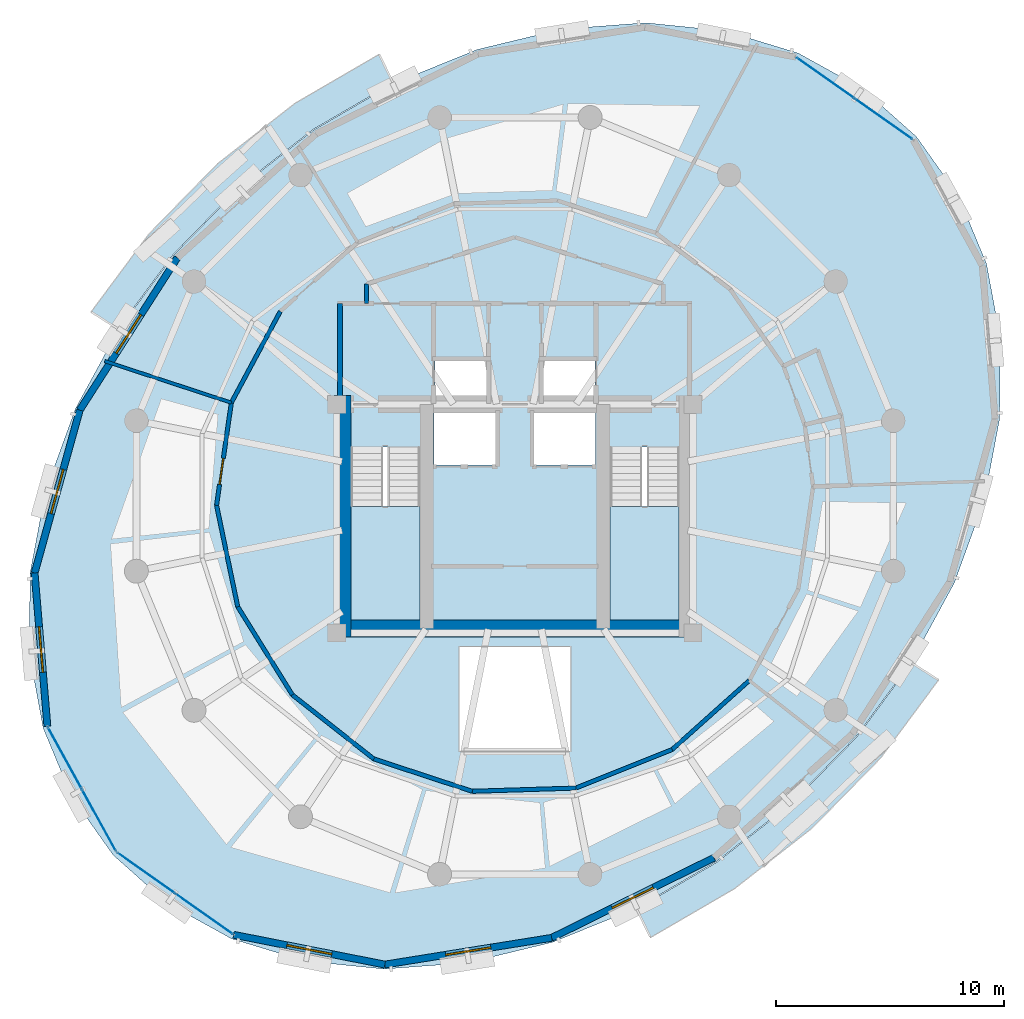
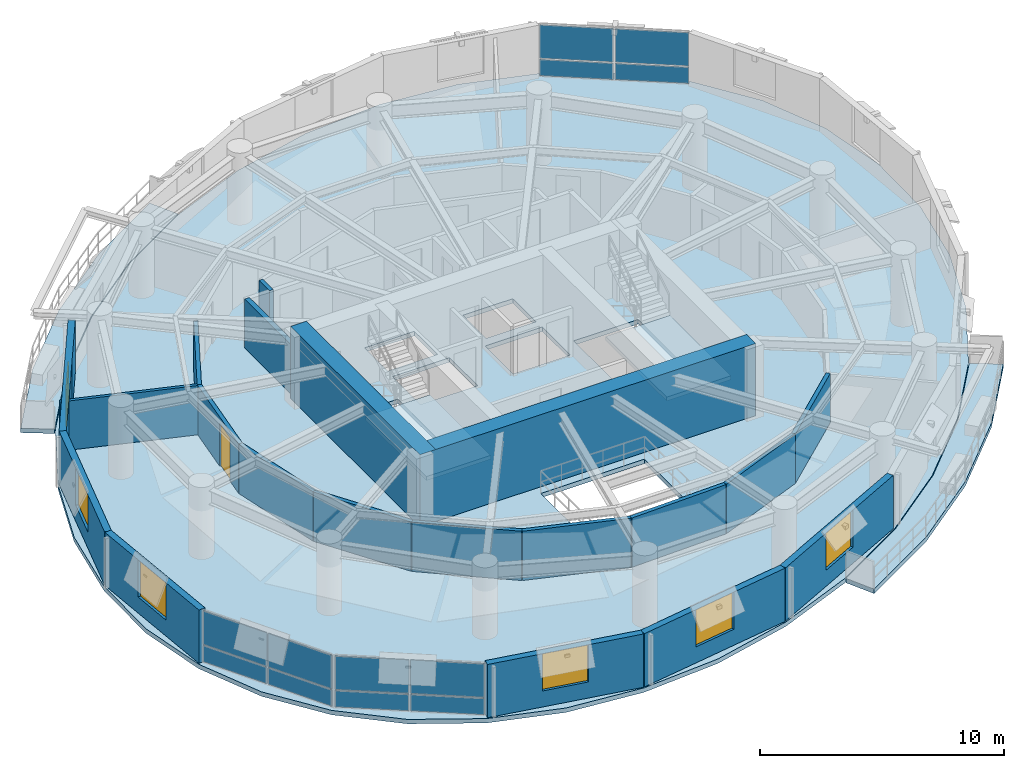
# One storey, part 7 of 12: 20 walls, 12 plates, 6 windows, 5 slabs, 1 door, 7 openings, 5 elements without a shape of their own.
"""IFC4 building model written with IfcOpenShell, lengths in metres."""

from ifc_helpers import new_model, si_unit, direction, frame, frame_2d, origin, origin_2d, place, context, subcontext, project, spatial, polyline, rectangle, outline, extrude, material, layer, layer_set, type_object, element, fill, aggregate, save


model = new_model("IFC4")

# Units and contexts
model_context = context("Model", 3, precision=1e-05, world=origin(), true_north=direction((0.0, 1.0)))
body_context = subcontext(model_context, "Body", "Model", "MODEL_VIEW")
ifc_project = project(units=[si_unit("LENGTHUNIT", "METRE"), si_unit("AREAUNIT", "SQUARE_METRE"), si_unit("VOLUMEUNIT", "CUBIC_METRE"), si_unit("PLANEANGLEUNIT", "RADIAN"), si_unit("MASSUNIT", "GRAM", prefix="KILO"), si_unit("THERMODYNAMICTEMPERATUREUNIT", "KELVIN"), si_unit("POWERUNIT", "WATT")], contexts=[model_context])

# Site, building, storey
site_placement = place(None, origin())
site = spatial("IfcSite", under=ifc_project, at=site_placement, CompositionType="ELEMENT")
building_placement = place(site_placement, origin())
building = spatial("IfcBuilding", under=site, at=building_placement, Name="Ocrelia Relay Tower", CompositionType="ELEMENT")
storey_placement = place(building_placement, frame((0.0, 0.0, 206.0)))
storey = spatial("IfcBuildingStorey", under=building, at=storey_placement, Name="L50", CompositionType="ELEMENT", Elevation=206.0)

# Curtain wall, plates
ifc_material_1 = material(Name="Aluminium and solar-control low-E glass", Category="aluminium")
ifc_layer_1 = layer(ifc_material_1, 0.179931640625, Name="Aluminium and solar-control low-E glass")
ifc_layer_set_1 = layer_set([ifc_layer_1], Name="Aluminium and solar-control low-E glass")
curtain_wall_type = type_object("IfcCurtainWallType", Name="CW-SYS-Z3-CLOU", PredefinedType="NOTDEFINED", material=ifc_layer_set_1)
curtain_wall_1_placement = place(storey_placement, origin())
curtain_wall_1 = element("IfcCurtainWall", 1, at=curtain_wall_1_placement, inside=storey, type_object=curtain_wall_type, Name="L50 Elliptical Tower Curtain Wall Bay 01", PredefinedType="NOTDEFINED")
ifc_material_2 = material(Name="Clear double-glazed low-E glass", Category="glass")
ifc_layer_2 = layer(ifc_material_2, 0.031982421875, Name="Clear double-glazed low-E glass")
ifc_layer_set_2 = layer_set([ifc_layer_2], Name="Clear double-glazed low-E glass")
plate_type = type_object("IfcPlateType", Name="CW-SYS-Z3-CLOU-PNL", PredefinedType="CURTAIN_PANEL", material=ifc_layer_set_2)
plate_1_placement = place(storey_placement, frame((50.147705078125, 42.51220703125, 0.06005859375), z_axis=(0.0, 0.0, 1.0), x_axis=(-0.816946248172, 0.576713817762, 0.0)))
plate_1 = element("IfcPlate", 2, at=plate_1_placement, type_object=plate_type, Name="CW-Z3 panel 1.1", PredefinedType="CURTAIN_PANEL", context=body_context, shape_type="SweptSolid", body=[
    extrude(rectangle(XDim=3.0439453125, YDim=0.031982421875, at=origin_2d()), origin(), (0.0, 0.0, 1.0), 0.81005859375),
])
plate_2_placement = place(storey_placement, frame((50.147705078125, 42.51220703125, 0.929931640625), z_axis=(0.0, 0.0, 1.0), x_axis=(-0.816946248172, 0.576713817762, 0.0)))
plate_2 = element("IfcPlate", 3, at=plate_2_placement, type_object=plate_type, Name="CW-Z3 panel 1.2", PredefinedType="CURTAIN_PANEL", context=body_context, shape_type="SweptSolid", body=[
    extrude(rectangle(XDim=3.0439453125, YDim=0.031982421875, at=origin_2d()), origin(), (0.0, 0.0, 1.0), 1.669921875),
])
plate_3_placement = place(storey_placement, frame((47.60791015625, 44.304931640625, 0.06005859375), z_axis=(0.0, 0.0, 1.0), x_axis=(-0.816946248172, 0.576713817762, 0.0)))
plate_3 = element("IfcPlate", 4, at=plate_3_placement, type_object=plate_type, Name="CW-Z3 panel 2.1", PredefinedType="CURTAIN_PANEL", context=body_context, shape_type="SweptSolid", body=[
    extrude(rectangle(XDim=3.0439453125, YDim=0.031982421875, at=origin_2d()), origin(), (0.0, 0.0, 1.0), 0.81005859375),
])
plate_4_placement = place(storey_placement, frame((47.60791015625, 44.304931640625, 0.929931640625), z_axis=(0.0, 0.0, 1.0), x_axis=(-0.816946248172, 0.576713817762, 0.0)))
plate_4 = element("IfcPlate", 5, at=plate_4_placement, type_object=plate_type, Name="CW-Z3 panel 2.2", PredefinedType="CURTAIN_PANEL", context=body_context, shape_type="SweptSolid", body=[
    extrude(rectangle(XDim=3.0439453125, YDim=0.031982421875, at=origin_2d()), origin(), (0.0, 0.0, 1.0), 1.669921875),
])
aggregate(curtain_wall_1, [plate_1, plate_2, plate_3, plate_4])

curtain_wall_2_placement = place(storey_placement, origin())
curtain_wall_2 = element("IfcCurtainWall", 6, at=curtain_wall_2_placement, inside=storey, type_object=curtain_wall_type, Name="L50 Elliptical Tower Curtain Wall Bay 09", PredefinedType="NOTDEFINED")
plate_5_placement = place(storey_placement, frame((14.292236328125, 14.517333984375, 0.06005859375), z_axis=(0.0, 0.0, 1.0), x_axis=(0.482049498647, -0.876143984088, 0.0)))
plate_5 = element("IfcPlate", 7, at=plate_5_placement, type_object=plate_type, Name="CW-Z3 panel 1.1", PredefinedType="CURTAIN_PANEL", context=body_context, shape_type="SweptSolid", body=[
    extrude(rectangle(XDim=3.0439453125, YDim=0.031982421875, at=origin_2d()), origin(), (0.0, 0.0, 1.0), 0.81005859375),
])
plate_6_placement = place(storey_placement, frame((14.292236328125, 14.517333984375, 0.929931640625), z_axis=(0.0, 0.0, 1.0), x_axis=(0.482049498647, -0.876143984088, 0.0)))
plate_6 = element("IfcPlate", 8, at=plate_6_placement, type_object=plate_type, Name="CW-Z3 panel 1.2", PredefinedType="CURTAIN_PANEL", context=body_context, shape_type="SweptSolid", body=[
    extrude(rectangle(XDim=3.0439453125, YDim=0.031982421875, at=origin_2d()), origin(), (0.0, 0.0, 1.0), 1.669921875),
])
plate_7_placement = place(storey_placement, frame((15.791015625, 11.79345703125, 0.06005859375), z_axis=(0.0, 0.0, 1.0), x_axis=(0.482049498647, -0.876143984088, 0.0)))
plate_7 = element("IfcPlate", 9, at=plate_7_placement, type_object=plate_type, Name="CW-Z3 panel 2.1", PredefinedType="CURTAIN_PANEL", context=body_context, shape_type="SweptSolid", body=[
    extrude(rectangle(XDim=3.0439453125, YDim=0.031982421875, at=origin_2d()), origin(), (0.0, 0.0, 1.0), 0.81005859375),
])
plate_8_placement = place(storey_placement, frame((15.791015625, 11.79345703125, 0.929931640625), z_axis=(0.0, 0.0, 1.0), x_axis=(0.482049498647, -0.876143984088, 0.0)))
plate_8 = element("IfcPlate", 10, at=plate_8_placement, type_object=plate_type, Name="CW-Z3 panel 2.2", PredefinedType="CURTAIN_PANEL", context=body_context, shape_type="SweptSolid", body=[
    extrude(rectangle(XDim=3.0439453125, YDim=0.031982421875, at=origin_2d()), origin(), (0.0, 0.0, 1.0), 1.669921875),
])
aggregate(curtain_wall_2, [plate_5, plate_6, plate_7, plate_8])

curtain_wall_3_placement = place(storey_placement, origin())
curtain_wall_3 = element("IfcCurtainWall", 11, at=curtain_wall_3_placement, inside=storey, type_object=curtain_wall_type, Name="L50 Elliptical Tower Curtain Wall Bay 10", PredefinedType="NOTDEFINED")
plate_9_placement = place(storey_placement, frame((17.852294921875, 9.48779296875, 0.06005859375), z_axis=(0.0, 0.0, 1.0), x_axis=(0.816946248172, -0.576713817762, 0.0)))
plate_9 = element("IfcPlate", 12, at=plate_9_placement, type_object=plate_type, Name="CW-Z3 panel 1.1", PredefinedType="CURTAIN_PANEL", context=body_context, shape_type="SweptSolid", body=[
    extrude(rectangle(XDim=3.0439453125, YDim=0.031982421875, at=origin_2d()), origin(), (0.0, 0.0, 1.0), 0.81005859375),
])
plate_10_placement = place(storey_placement, frame((17.852294921875, 9.48779296875, 0.929931640625), z_axis=(0.0, 0.0, 1.0), x_axis=(0.816946248172, -0.576713817762, 0.0)))
plate_10 = element("IfcPlate", 13, at=plate_10_placement, type_object=plate_type, Name="CW-Z3 panel 1.2", PredefinedType="CURTAIN_PANEL", context=body_context, shape_type="SweptSolid", body=[
    extrude(rectangle(XDim=3.0439453125, YDim=0.031982421875, at=origin_2d()), origin(), (0.0, 0.0, 1.0), 1.669921875),
])
plate_11_placement = place(storey_placement, frame((20.39208984375, 7.695068359375, 0.06005859375), z_axis=(0.0, 0.0, 1.0), x_axis=(0.816946248172, -0.576713817762, 0.0)))
plate_11 = element("IfcPlate", 14, at=plate_11_placement, type_object=plate_type, Name="CW-Z3 panel 2.1", PredefinedType="CURTAIN_PANEL", context=body_context, shape_type="SweptSolid", body=[
    extrude(rectangle(XDim=3.0439453125, YDim=0.031982421875, at=origin_2d()), origin(), (0.0, 0.0, 1.0), 0.81005859375),
])
plate_12_placement = place(storey_placement, frame((20.39208984375, 7.695068359375, 0.929931640625), z_axis=(0.0, 0.0, 1.0), x_axis=(0.816946248172, -0.576713817762, 0.0)))
plate_12 = element("IfcPlate", 15, at=plate_12_placement, type_object=plate_type, Name="CW-Z3 panel 2.2", PredefinedType="CURTAIN_PANEL", context=body_context, shape_type="SweptSolid", body=[
    extrude(rectangle(XDim=3.0439453125, YDim=0.031982421875, at=origin_2d()), origin(), (0.0, 0.0, 1.0), 1.669921875),
])
aggregate(curtain_wall_3, [plate_9, plate_10, plate_11, plate_12])

# Slabs
ifc_material_3 = material(Name="Precast concrete C40/50", Category="concrete")
ifc_layer_3 = layer(ifc_material_3, 0.219970703125, Name="Precast concrete C40/50")
ifc_layer_set_3 = layer_set([ifc_layer_3], Name="Precast concrete C40/50")
slab_type_1 = type_object("IfcSlabType", Name="SL-BALC-220", PredefinedType="FLOOR", material=ifc_layer_set_3)
slab_1_placement = place(storey_placement, frame((0.0, 0.0, -0.219970703125)))
element("IfcSlab", 16, at=slab_1_placement, inside=storey, type_object=slab_type_1, Name="L50 Planted Loggia Balcony B1", PredefinedType="FLOOR", context=body_context, shape_type="SweptSolid", body=[
    extrude(outline(polyline([(28.667236328125, 44.08642578125), (26.912353515625, 43.0654296875), (25.1572265625, 42.04443359375), (21.915771484375, 39.515380859375), (19.041015625, 36.576171875), (17.8310546875, 34.94580078125), (16.620849609375, 33.3154296875), (15.4462890625, 34.065185546875), (16.7138671875, 35.77294921875), (17.981201171875, 37.48046875), (20.9873046875, 40.55419921875), (24.376708984375, 43.198486328125), (26.21484375, 44.267822265625), (28.052978515625, 45.337158203125), (28.667236328125, 44.08642578125)])), origin(), (0.0, 0.0, 1.0), 0.219970703125),
])
slab_2_placement = place(storey_placement, frame((0.0, 0.0, -0.219970703125)))
element("IfcSlab", 17, at=slab_2_placement, inside=storey, type_object=slab_type_1, Name="L50 Planted Loggia Balcony B2", PredefinedType="FLOOR", context=body_context, shape_type="SweptSolid", body=[
    extrude(outline(polyline([(39.332763671875, 7.91357421875), (41.087646484375, 8.9345703125), (42.8427734375, 9.95556640625), (46.084228515625, 12.484619140625), (48.958984375, 15.423828125), (50.1689453125, 17.05419921875), (51.379150390625, 18.6845703125), (52.5537109375, 17.934814453125), (51.286376953125, 16.22705078125), (50.018798828125, 14.51953125), (47.0126953125, 11.44580078125), (43.623291015625, 8.801513671875), (41.78515625, 7.732177734375), (39.947021484375, 6.662841796875), (39.332763671875, 7.91357421875)])), origin(), (0.0, 0.0, 1.0), 0.219970703125),
])
ifc_material_4 = material(Name="Concrete C50/60", Category="concrete")
ifc_layer_4 = layer(ifc_material_4, 0.219970703125, Name="Concrete C50/60")
ifc_layer_set_4 = layer_set([ifc_layer_4], Name="Concrete C50/60")
slab_type_2 = type_object("IfcSlabType", Name="SL-FLR-220", PredefinedType="FLOOR", material=ifc_layer_set_4)
slab_3_placement = place(storey_placement, frame((0.0, 0.0, -0.219970703125)))
element("IfcSlab", 18, at=slab_3_placement, inside=storey, type_object=slab_type_2, Name="L50 Elliptical Tower Floor Slab", PredefinedType="FLOOR", context=body_context, shape_type="SweptSolid", body=[
    extrude(outline(polyline([(51.59326171875, 41.730224609375), (49.23095703125, 43.834228515625), (46.406005859375, 45.396484375), (43.2041015625, 46.369384765625), (39.722412109375, 46.72314453125), (36.06689453125, 46.447509765625), (32.3486328125, 45.550537109375), (28.6806640625, 44.059326171875), (25.174072265625, 42.01953125), (21.935791015625, 39.4931640625), (19.06396484375, 36.556640625), (16.64599609375, 33.29931640625), (14.75537109375, 29.8203125), (13.449462890625, 26.22509765625), (12.76806640625, 22.623291015625), (12.731689453125, 19.123779296875), (13.341552734375, 15.83349609375), (14.5791015625, 12.851806640625), (16.40673828125, 10.269775390625), (18.76904296875, 8.165771484375), (21.593994140625, 6.603515625), (24.7958984375, 5.630615234375), (28.277587890625, 5.27685546875), (31.93310546875, 5.552490234375), (35.6513671875, 6.449462890625), (39.3193359375, 7.940673828125), (42.825927734375, 9.98046875), (46.064208984375, 12.5068359375), (48.93603515625, 15.443359375), (51.35400390625, 18.70068359375), (53.24462890625, 22.1796875), (54.550537109375, 25.77490234375), (55.23193359375, 29.376708984375), (55.268310546875, 32.876220703125), (54.658447265625, 36.16650390625), (53.4208984375, 39.148193359375), (51.59326171875, 41.730224609375)]), holes=[polyline([(26.81005859375, 28.14990234375), (26.81005859375, 20.550048828125), (29.85009765625, 20.550048828125), (29.85009765625, 28.14990234375), (26.81005859375, 28.14990234375)]), polyline([(38.159912109375, 28.14990234375), (38.159912109375, 20.550048828125), (41.199951171875, 20.550048828125), (41.199951171875, 28.14990234375), (38.159912109375, 28.14990234375)]), polyline([(30.4599609375, 27.35009765625), (33.159912109375, 27.35009765625), (33.159912109375, 29.64990234375), (30.4599609375, 29.64990234375), (30.4599609375, 27.35009765625)]), polyline([(34.840087890625, 27.35009765625), (37.5400390625, 27.35009765625), (37.5400390625, 29.64990234375), (34.840087890625, 29.64990234375), (34.840087890625, 27.35009765625)]), polyline([(30.5, 30.10009765625), (32.85009765625, 30.10009765625), (32.85009765625, 32.0), (30.5, 32.0), (30.5, 30.10009765625)]), polyline([(35.14990234375, 30.10009765625), (37.5, 30.10009765625), (37.5, 32.0), (35.14990234375, 32.0), (35.14990234375, 30.10009765625)]), polyline([(31.550048828125, 14.800048828125), (36.449951171875, 14.800048828125), (36.449951171875, 19.39990234375), (31.550048828125, 19.39990234375), (31.550048828125, 14.800048828125)])]), origin(), (0.0, 0.0, 1.0), 0.219970703125),
])

# Stair, slab
stair_type = type_object("IfcStairType", Name="ST-DL-1420-R180", PredefinedType="HALF_TURN_STAIR", material=ifc_material_4)
stair_1_placement = place(storey_placement, origin())
stair_1 = element("IfcStair", 19, at=stair_1_placement, inside=storey, type_object=stair_type, Name="L50 West Core Exit Stair ST1", PredefinedType="HALF_TURN_STAIR")
ifc_layer_5 = layer(ifc_material_4, 0.199951171875, Name="Concrete C50/60")
ifc_layer_set_5 = layer_set([ifc_layer_5], Name="Concrete C50/60")
slab_type_3 = type_object("IfcSlabType", Name="SL-LANDING-200", PredefinedType="LANDING", material=ifc_layer_set_5)
slab_4_placement = place(storey_placement, frame((0.0, 0.0, 1.60009765625)))
slab_4 = element("IfcSlab", 20, at=slab_4_placement, type_object=slab_type_3, Name="ST1 landing 1", PredefinedType="LANDING", context=body_context, shape_type="SweptSolid", body=[
    extrude(outline(polyline([(26.81005859375, 25.5400390625), (26.81005859375, 20.550048828125), (29.85009765625, 20.550048828125), (29.85009765625, 25.5400390625), (26.81005859375, 25.5400390625)])), origin(), (0.0, 0.0, 1.0), 0.199951171875),
])
aggregate(stair_1, [slab_4])

stair_2_placement = place(storey_placement, origin())
stair_2 = element("IfcStair", 21, at=stair_2_placement, inside=storey, type_object=stair_type, Name="L50 East Core Exit Stair ST2", PredefinedType="HALF_TURN_STAIR")
slab_5_placement = place(storey_placement, frame((0.0, 0.0, 1.60009765625)))
slab_5 = element("IfcSlab", 22, at=slab_5_placement, type_object=slab_type_3, Name="ST2 landing 1", PredefinedType="LANDING", context=body_context, shape_type="SweptSolid", body=[
    extrude(outline(polyline([(38.159912109375, 25.5400390625), (38.159912109375, 20.550048828125), (41.199951171875, 20.550048828125), (41.199951171875, 25.5400390625), (38.159912109375, 25.5400390625)])), origin(), (0.0, 0.0, 1.0), 0.199951171875),
])
aggregate(stair_2, [slab_5])

# Walls
ifc_material_5 = material(Name="Concrete C60/75", Category="concrete")
ifc_layer_6 = layer(ifc_material_5, 0.75, Name="Concrete C60/75")
ifc_layer_set_6 = layer_set([ifc_layer_6], Name="Concrete C60/75")
wall_type_1 = type_object("IfcWallType", Name="CW-CORE-750", PredefinedType="SHEAR", material=ifc_layer_set_6)
wall_1_placement = place(storey_placement, frame((26.072021484375, 20.18701171875, 0.0), z_axis=(0.0, 0.0, 1.0), x_axis=(1.0, 0.0, 0.0)))
element("IfcWall", 23, at=wall_1_placement, inside=storey, type_object=wall_type_1, Name="L50 Core Shear Wall S", PredefinedType="SHEAR", context=body_context, shape_type="SweptSolid", body=[
    extrude(rectangle(XDim=15.865966796875, YDim=0.75, at=frame_2d((7.93310546875, 0.0))), origin(), (0.0, 0.0, 1.0), 3.60009765625),
])
wall_2_placement = place(storey_placement, frame((26.447021484375, 19.81201171875, 0.0), z_axis=(0.0, 0.0, 1.0), x_axis=(0.0, 1.0, 0.0)))
element("IfcWall", 24, at=wall_2_placement, inside=storey, type_object=wall_type_1, Name="L50 Core Shear Wall W", PredefinedType="SHEAR", context=body_context, shape_type="SweptSolid", body=[
    extrude(rectangle(XDim=10.575927734375, YDim=0.75, at=frame_2d((5.2880859375, 0.0))), origin(), (0.0, 0.0, 1.0), 3.60009765625),
])
ifc_material_6 = material(Name="Gypsum Fireboard Partition EI60", Category="gypsum")
ifc_layer_7 = layer(ifc_material_6, 0.179931640625, Name="Gypsum Fireboard Partition EI60")
ifc_layer_set_7 = layer_set([ifc_layer_7], Name="Gypsum Fireboard Partition EI60")
wall_type_2 = type_object("IfcWallType", Name="W-CORR-EI60-180", PredefinedType="PARTITIONING", material=ifc_layer_set_7)
wall_3_placement = place(storey_placement, frame((27.5, 34.429931640625, 0.0), z_axis=(0.0, 0.0, 1.0), x_axis=(0.0, 1.0, 0.0)))
element("IfcWall", 25, at=wall_3_placement, inside=storey, type_object=wall_type_2, Name="L50 Smoke Lobby West Return", PredefinedType="PARTITIONING", context=body_context, shape_type="SweptSolid", body=[
    extrude(rectangle(XDim=0.85009765625, YDim=0.179931640625, at=frame_2d((0.425048828125, 0.0))), origin(), (0.0, 0.0, 1.0), 2.4599609375),
])
wall_4_placement = place(storey_placement, frame((23.72900390625, 34.08251953125, 0.0), z_axis=(0.0, 0.0, 1.0), x_axis=(-0.472569149638, -0.881293593992, 0.0)))
element("IfcWall", 26, at=wall_4_placement, inside=storey, type_object=wall_type_2, Name="L50 Hardware Archive Store Corridor Partition 2", PredefinedType="PARTITIONING", context=body_context, shape_type="SweptSolid", body=[
    extrude(rectangle(XDim=4.5390625, YDim=0.179931640625, at=frame_2d((2.26953125, 0.0))), origin(), (0.0, 0.0, 1.0), 2.4599609375),
])

# Wall, opening, door
wall_5_placement = place(storey_placement, frame((21.583984375, 30.082275390625, 0.0), z_axis=(0.0, 0.0, 1.0), x_axis=(-0.142693812172, -0.989766879607, 0.0)))
wall_5 = element("IfcWall", 27, at=wall_5_placement, inside=storey, type_object=wall_type_2, Name="L50 Optical Switching Hall B Corridor Partition 1", PredefinedType="PARTITIONING", context=body_context, shape_type="SweptSolid", body=[
    extrude(rectangle(XDim=4.5390625, YDim=0.179931640625, at=frame_2d((2.26953125, 0.0))), origin(), (0.0, 0.0, 1.0), 2.4599609375),
])
opening_1_placement = place(wall_5_placement, frame((2.466796875, 0.0, 0.0)))
opening_1 = element("IfcOpeningElement", 28, at=opening_1_placement, cuts=wall_5, Name="Opening D-RM115", PredefinedType="OPENING", context=body_context, shape_type="SweptSolid", body=[
    extrude(rectangle(XDim=1.14990234375, YDim=2.14990234375, at=frame_2d((0.574951171875, 1.074951171875))), frame((0.0, 0.10009765625, 0.0), z_axis=(0.0, -1.0, 0.0), x_axis=(1.0, 0.0, 0.0)), (0.0, 0.0, 1.0), 0.199951171875),
])
ifc_material_7 = material(Name="Wide acoustic oak veneer fire door", Category="wood")
door_type = type_object("IfcDoorType", Name="DR-ROOM-1150", OperationType="NOTDEFINED", PredefinedType="DOOR", material=ifc_material_7)
door_placement = place(opening_1_placement, origin())
door = element("IfcDoor", 29, at=door_placement, inside=storey, type_object=door_type, Name="L50 Optical Switching Hall B Entrance Door", OperationType="SINGLE_SWING_LEFT", OverallHeight=2.14990234375, OverallWidth=1.14990234375, PredefinedType="DOOR", context=body_context, shape_type="SweptSolid", body=[
    extrude(rectangle(XDim=1.14990234375, YDim=2.14990234375, at=frame_2d((0.574951171875, 1.074951171875))), frame((0.0, 0.02490234375, 0.0), z_axis=(0.0, -1.0, 0.0), x_axis=(1.0, 0.0, 0.0)), (0.0, 0.0, 1.0), 0.050048828125),
])
fill(opening_1, door)

# Walls
for number, where, z_axis, x_axis, name in (
    (30, (20.936279296875, 25.589599609375, 0.0), (0.0, 0.0, 1.0), (0.204538407935, -0.978858539156, 0.0), "L50 Optical Switching Hall B Corridor Partition 2"),
    (31, (21.86474609375, 21.146240234375, 0.0), (0.0, 0.0, 1.0), (0.526930344669, -0.849908472641, 0.0), "L50 Optical Switching Hall B Corridor Partition 3"),
):
    element("IfcWall", number, at=place(storey_placement, frame(where, z_axis=z_axis, x_axis=x_axis)), inside=storey, type_object=wall_type_2, Name=name, PredefinedType="PARTITIONING", context=body_context, shape_type="SweptSolid", body=[
        extrude(rectangle(XDim=4.539306640625, YDim=0.179931640625, at=frame_2d((2.26953125, 0.0))), origin(), (0.0, 0.0, 1.0), 2.4599609375),
    ])
for number, where, z_axis, x_axis, name in (
    (32, (24.256591796875, 17.288330078125, 0.0), (0.0, 0.0, 1.0), (0.785875797766, -0.618384371153, 0.0), "L50 Optical Switching Hall B Corridor Partition 4"),
    (33, (27.82373046875, 14.4814453125, 0.0), (0.0, 0.0, 1.0), (0.949971574886, -0.312336368212, 0.0), "L50 Optical Switching Hall B Corridor Partition 5"),
):
    element("IfcWall", number, at=place(storey_placement, frame(where, z_axis=z_axis, x_axis=x_axis)), inside=storey, type_object=wall_type_2, Name=name, PredefinedType="PARTITIONING", context=body_context, shape_type="SweptSolid", body=[
        extrude(rectangle(XDim=4.5390625, YDim=0.179931640625, at=frame_2d((2.26953125, 0.0))), origin(), (0.0, 0.0, 1.0), 2.4599609375),
    ])
wall_6_placement = place(storey_placement, frame((32.1357421875, 13.063720703125, 0.0), z_axis=(0.0, 0.0, 1.0), x_axis=(0.999506603808, 0.031409376702, 0.0)))
element("IfcWall", 34, at=wall_6_placement, inside=storey, type_object=wall_type_2, Name="L50 Optical Switching Hall B Corridor Partition 6", PredefinedType="PARTITIONING", context=body_context, shape_type="SweptSolid", body=[
    extrude(rectangle(XDim=4.539306640625, YDim=0.179931640625, at=frame_2d((2.26953125, 0.0))), origin(), (0.0, 0.0, 1.0), 2.4599609375),
])
wall_7_placement = place(storey_placement, frame((36.6728515625, 13.206298828125, 0.0), z_axis=(0.0, 0.0, 1.0), x_axis=(0.928491528262, 0.371353580763, 0.0)))
element("IfcWall", 35, at=wall_7_placement, inside=storey, type_object=wall_type_2, Name="L50 Optical Switching Hall B Corridor Partition 7", PredefinedType="PARTITIONING", context=body_context, shape_type="SweptSolid", body=[
    extrude(rectangle(XDim=4.538818359375, YDim=0.179931640625, at=frame_2d((2.26953125, 0.0))), origin(), (0.0, 0.0, 1.0), 2.4599609375),
])
wall_8_placement = place(storey_placement, frame((40.88720703125, 14.891845703125, 0.0), z_axis=(0.0, 0.0, 1.0), x_axis=(0.745456496411, 0.66655428283, 0.0)))
element("IfcWall", 36, at=wall_8_placement, inside=storey, type_object=wall_type_2, Name="L50 Optical Switching Hall B Corridor Partition 8", PredefinedType="PARTITIONING", context=body_context, shape_type="SweptSolid", body=[
    extrude(rectangle(XDim=4.539306640625, YDim=0.179931640625, at=frame_2d((2.26953125, 0.0))), origin(), (0.0, 0.0, 1.0), 2.4599609375),
])

# Wall, opening, window
ifc_material_8 = material(Name="Precast concrete C40/50 with oxide terracotta", Category="masonry")
ifc_layer_8 = layer(ifc_material_8, 0.300048828125, Name="Precast concrete C40/50 with oxide terracotta")
ifc_layer_set_8 = layer_set([ifc_layer_8], Name="Precast concrete C40/50 with oxide terracotta")
wall_type_3 = type_object("IfcWallType", Name="W-EXT-TERR-300", PredefinedType="SOLIDWALL", material=ifc_layer_set_8)
wall_9_placement = place(storey_placement, frame((19.22119140625, 36.432861328125, 0.0), z_axis=(0.0, 0.0, 1.0), x_axis=(-0.539397988858, -0.842050954287, 0.0)))
wall_9 = element("IfcWall", 37, at=wall_9_placement, inside=storey, type_object=wall_type_3, Name="L50 Oxide Terracotta Facade Wall 06", PredefinedType="SOLIDWALL", context=body_context, shape_type="SweptSolid", body=[
    extrude(rectangle(XDim=7.92724609375, YDim=0.300048828125, at=frame_2d((3.963623046875, 0.0))), origin(), (0.0, 0.0, 1.0), 2.659912109375),
])
opening_2_placement = place(wall_9_placement, frame((2.964111328125, 0.0, 0.800048828125)))
opening_2 = element("IfcOpeningElement", 38, at=opening_2_placement, cuts=wall_9, Name="Opening W-03", PredefinedType="OPENING", context=body_context, shape_type="SweptSolid", body=[
    extrude(rectangle(XDim=2.0, YDim=1.85009765625, at=frame_2d((1.0, 0.925048828125))), frame((0.0, 0.16015625, 0.0), z_axis=(0.0, -1.0, 0.0), x_axis=(1.0, 0.0, 0.0)), (0.0, 0.0, 1.0), 0.320068359375),
])
window_type = type_object("IfcWindowType", Name="WIN-Z3-2000x2200", PartitioningType="DOUBLE_PANEL_VERTICAL", PredefinedType="WINDOW", material=ifc_material_2)
window_1_placement = place(opening_2_placement, origin())
window_1 = element("IfcWindow", 39, at=window_1_placement, inside=storey, type_object=window_type, Name="L50 Facade Module Window 06", OverallHeight=1.85009765625, OverallWidth=2.0, PartitioningType="SINGLE_PANEL", PredefinedType="WINDOW", context=body_context, shape_type="SweptSolid", body=[
    extrude(rectangle(XDim=2.0, YDim=1.85009765625, at=frame_2d((1.0, 0.925048828125))), frame((0.0, 0.030029296875, 0.0), z_axis=(0.0, -1.0, 0.0), x_axis=(1.0, 0.0, 0.0)), (0.0, 0.0, 1.0), 0.06005859375),
])
fill(opening_2, window_1)

wall_10_placement = place(storey_placement, frame((14.9453125, 29.7578125, 0.0), z_axis=(0.0, 0.0, 1.0), x_axis=(-0.267289798327, -0.963616191079, 0.0)))
wall_10 = element("IfcWall", 40, at=wall_10_placement, inside=storey, type_object=wall_type_3, Name="L50 Oxide Terracotta Facade Wall 07", PredefinedType="SOLIDWALL", context=body_context, shape_type="SweptSolid", body=[
    extrude(rectangle(XDim=7.3974609375, YDim=0.300048828125, at=frame_2d((3.69873046875, 0.0))), origin(), (0.0, 0.0, 1.0), 2.659912109375),
])
opening_3_placement = place(wall_10_placement, frame((2.698974609375, 0.0, 0.800048828125)))
opening_3 = element("IfcOpeningElement", 41, at=opening_3_placement, cuts=wall_10, Name="Opening W-03", PredefinedType="OPENING", context=body_context, shape_type="SweptSolid", body=[
    extrude(rectangle(XDim=2.0, YDim=1.85009765625, at=frame_2d((1.0, 0.925048828125))), frame((0.0, 0.16015625, 0.0), z_axis=(0.0, -1.0, 0.0), x_axis=(1.0, 0.0, 0.0)), (0.0, 0.0, 1.0), 0.320068359375),
])
window_2_placement = place(opening_3_placement, origin())
window_2 = element("IfcWindow", 42, at=window_2_placement, inside=storey, type_object=window_type, Name="L50 Facade Module Window 07", OverallHeight=1.85009765625, OverallWidth=2.0, PartitioningType="SINGLE_PANEL", PredefinedType="WINDOW", context=body_context, shape_type="SweptSolid", body=[
    extrude(rectangle(XDim=2.0, YDim=1.85009765625, at=frame_2d((1.0, 0.925048828125))), frame((0.0, 0.030029296875, 0.0), z_axis=(0.0, -1.0, 0.0), x_axis=(1.0, 0.0, 0.0)), (0.0, 0.0, 1.0), 0.06005859375),
])
fill(opening_3, window_2)

wall_11_placement = place(storey_placement, frame((12.968017578125, 22.62939453125, 0.0), z_axis=(0.0, 0.0, 1.0), x_axis=(0.082925657115, -0.99655573622, 0.0)))
wall_11 = element("IfcWall", 43, at=wall_11_placement, inside=storey, type_object=wall_type_3, Name="L50 Oxide Terracotta Facade Wall 08", PredefinedType="SOLIDWALL", context=body_context, shape_type="SweptSolid", body=[
    extrude(rectangle(XDim=6.744873046875, YDim=0.300048828125, at=frame_2d((3.37255859375, 0.0))), origin(), (0.0, 0.0, 1.0), 2.659912109375),
])
opening_4_placement = place(wall_11_placement, frame((2.373046875, 0.0, 0.800048828125)))
opening_4 = element("IfcOpeningElement", 44, at=opening_4_placement, cuts=wall_11, Name="Opening W-03", PredefinedType="OPENING", context=body_context, shape_type="SweptSolid", body=[
    extrude(rectangle(XDim=2.0, YDim=1.85009765625, at=frame_2d((1.0, 0.925048828125))), frame((0.0, 0.16015625, 0.0), z_axis=(0.0, -1.0, 0.0), x_axis=(1.0, 0.0, 0.0)), (0.0, 0.0, 1.0), 0.320068359375),
])
window_3_placement = place(opening_4_placement, origin())
window_3 = element("IfcWindow", 45, at=window_3_placement, inside=storey, type_object=window_type, Name="L50 Facade Module Window 08", OverallHeight=1.85009765625, OverallWidth=2.0, PartitioningType="SINGLE_PANEL", PredefinedType="WINDOW", context=body_context, shape_type="SweptSolid", body=[
    extrude(rectangle(XDim=2.0, YDim=1.85009765625, at=frame_2d((1.0, 0.925048828125))), frame((0.0, 0.030029296875, 0.0), z_axis=(0.0, -1.0, 0.0), x_axis=(1.0, 0.0, 0.0)), (0.0, 0.0, 1.0), 0.06005859375),
])
fill(opening_4, window_3)

wall_12_placement = place(storey_placement, frame((21.6884765625, 6.77978515625, 0.0), z_axis=(0.0, 0.0, 1.0), x_axis=(0.981100617883, -0.193498262496, 0.0)))
wall_12 = element("IfcWall", 46, at=wall_12_placement, inside=storey, type_object=wall_type_3, Name="L50 Oxide Terracotta Facade Wall 11", PredefinedType="SOLIDWALL", context=body_context, shape_type="SweptSolid", body=[
    extrude(rectangle(XDim=6.7451171875, YDim=0.300048828125, at=frame_2d((3.37255859375, 0.0))), origin(), (0.0, 0.0, 1.0), 2.659912109375),
])
opening_5_placement = place(wall_12_placement, frame((2.373046875, 0.0, 0.800048828125)))
opening_5 = element("IfcOpeningElement", 47, at=opening_5_placement, cuts=wall_12, Name="Opening W-03", PredefinedType="OPENING", context=body_context, shape_type="SweptSolid", body=[
    extrude(rectangle(XDim=2.0, YDim=1.85009765625, at=frame_2d((1.0, 0.925048828125))), frame((0.0, 0.16015625, 0.0), z_axis=(0.0, -1.0, 0.0), x_axis=(1.0, 0.0, 0.0)), (0.0, 0.0, 1.0), 0.320068359375),
])
window_4_placement = place(opening_5_placement, origin())
window_4 = element("IfcWindow", 48, at=window_4_placement, inside=storey, type_object=window_type, Name="L50 Facade Module Window 11", OverallHeight=1.85009765625, OverallWidth=2.0, PartitioningType="SINGLE_PANEL", PredefinedType="WINDOW", context=body_context, shape_type="SweptSolid", body=[
    extrude(rectangle(XDim=2.0, YDim=1.85009765625, at=frame_2d((1.0, 0.925048828125))), frame((0.0, 0.030029296875, 0.0), z_axis=(0.0, -1.0, 0.0), x_axis=(1.0, 0.0, 0.0)), (0.0, 0.0, 1.0), 0.06005859375),
])
fill(opening_5, window_4)

wall_13_placement = place(storey_placement, frame((28.30615234375, 5.474609375, 0.0), z_axis=(0.0, 0.0, 1.0), x_axis=(0.987398789475, 0.158251794757, 0.0)))
wall_13 = element("IfcWall", 49, at=wall_13_placement, inside=storey, type_object=wall_type_3, Name="L50 Oxide Terracotta Facade Wall 12", PredefinedType="SOLIDWALL", context=body_context, shape_type="SweptSolid", body=[
    extrude(rectangle(XDim=7.3974609375, YDim=0.300048828125, at=frame_2d((3.69873046875, 0.0))), origin(), (0.0, 0.0, 1.0), 2.659912109375),
])
opening_6_placement = place(wall_13_placement, frame((2.698974609375, 0.0, 0.800048828125)))
opening_6 = element("IfcOpeningElement", 50, at=opening_6_placement, cuts=wall_13, Name="Opening W-03", PredefinedType="OPENING", context=body_context, shape_type="SweptSolid", body=[
    extrude(rectangle(XDim=2.0, YDim=1.85009765625, at=frame_2d((1.0, 0.925048828125))), frame((0.0, 0.16015625, 0.0), z_axis=(0.0, -1.0, 0.0), x_axis=(1.0, 0.0, 0.0)), (0.0, 0.0, 1.0), 0.320068359375),
])
window_5_placement = place(opening_6_placement, origin())
window_5 = element("IfcWindow", 51, at=window_5_placement, inside=storey, type_object=window_type, Name="L50 Facade Module Window 12", OverallHeight=1.85009765625, OverallWidth=2.0, PartitioningType="SINGLE_PANEL", PredefinedType="WINDOW", context=body_context, shape_type="SweptSolid", body=[
    extrude(rectangle(XDim=2.0, YDim=1.85009765625, at=frame_2d((1.0, 0.925048828125))), frame((0.0, 0.030029296875, 0.0), z_axis=(0.0, -1.0, 0.0), x_axis=(1.0, 0.0, 0.0)), (0.0, 0.0, 1.0), 0.06005859375),
])
fill(opening_6, window_5)

wall_14_placement = place(storey_placement, frame((35.6103515625, 6.645263671875, 0.0), z_axis=(0.0, 0.0, 1.0), x_axis=(0.896932281423, 0.442167934773, 0.0)))
wall_14 = element("IfcWall", 52, at=wall_14_placement, inside=storey, type_object=wall_type_3, Name="L50 Oxide Terracotta Facade Wall 13", PredefinedType="SOLIDWALL", context=body_context, shape_type="SweptSolid", body=[
    extrude(rectangle(XDim=7.92724609375, YDim=0.300048828125, at=frame_2d((3.963623046875, 0.0))), origin(), (0.0, 0.0, 1.0), 2.659912109375),
])
opening_7_placement = place(wall_14_placement, frame((2.964111328125, 0.0, 0.800048828125)))
opening_7 = element("IfcOpeningElement", 53, at=opening_7_placement, cuts=wall_14, Name="Opening W-03", PredefinedType="OPENING", context=body_context, shape_type="SweptSolid", body=[
    extrude(rectangle(XDim=2.0, YDim=1.85009765625, at=frame_2d((1.0, 0.925048828125))), frame((0.0, 0.16015625, 0.0), z_axis=(0.0, -1.0, 0.0), x_axis=(1.0, 0.0, 0.0)), (0.0, 0.0, 1.0), 0.320068359375),
])
window_6_placement = place(opening_7_placement, origin())
window_6 = element("IfcWindow", 54, at=window_6_placement, inside=storey, type_object=window_type, Name="L50 Facade Module Window 13", OverallHeight=1.85009765625, OverallWidth=2.0, PartitioningType="SINGLE_PANEL", PredefinedType="WINDOW", context=body_context, shape_type="SweptSolid", body=[
    extrude(rectangle(XDim=2.0, YDim=1.85009765625, at=frame_2d((1.0, 0.925048828125))), frame((0.0, 0.030029296875, 0.0), z_axis=(0.0, -1.0, 0.0), x_axis=(1.0, 0.0, 0.0)), (0.0, 0.0, 1.0), 0.06005859375),
])
fill(opening_7, window_6)

# Walls
ifc_layer_9 = layer(ifc_material_4, 0.219970703125, Name="Concrete C50/60")
ifc_layer_set_9 = layer_set([ifc_layer_9], Name="Concrete C50/60")
wall_type_4 = type_object("IfcWallType", Name="W-FFL-EI120-220", PredefinedType="SOLIDWALL", material=ifc_layer_set_9)
wall_15_placement = place(storey_placement, frame((26.35009765625, 30.050048828125, 0.0), z_axis=(0.0, 0.0, 1.0), x_axis=(0.0, 1.0, 0.0)))
element("IfcWall", 55, at=wall_15_placement, inside=storey, type_object=wall_type_4, Name="L50 W Fire Service Lift Lobby West Wall", PredefinedType="SOLIDWALL", context=body_context, shape_type="SweptSolid", body=[
    extrude(rectangle(XDim=4.3798828125, YDim=0.219970703125, at=frame_2d((2.18994140625, 0.0))), origin(), (0.0, 0.0, 1.0), 2.4599609375),
])
ifc_material_9 = material(Name="Acoustic Fireboard Partition EI60", Category="gypsum")
ifc_layer_10 = layer(ifc_material_9, 0.139892578125, Name="Acoustic Fireboard Partition EI60")
ifc_layer_set_10 = layer_set([ifc_layer_10], Name="Acoustic Fireboard Partition EI60")
wall_type_5 = type_object("IfcWallType", Name="W-PART-140", PredefinedType="PARTITIONING", material=ifc_layer_set_10)
wall_16_placement = place(storey_placement, frame((21.583984375, 30.082275390625, 0.0), z_axis=(0.0, 0.0, 1.0), x_axis=(-0.949971843281, 0.31233555189, 0.0)))
element("IfcWall", 56, at=wall_16_placement, inside=storey, type_object=wall_type_5, Name="L50 Hardware Archive Store Radial Partition", PredefinedType="PARTITIONING", context=body_context, shape_type="SweptSolid", body=[
    extrude(rectangle(XDim=5.83740234375, YDim=0.139892578125, at=frame_2d((2.918701171875, 0.0))), origin(), (0.0, 0.0, 1.0), 2.4599609375),
])

save(model, "model.ifc")
